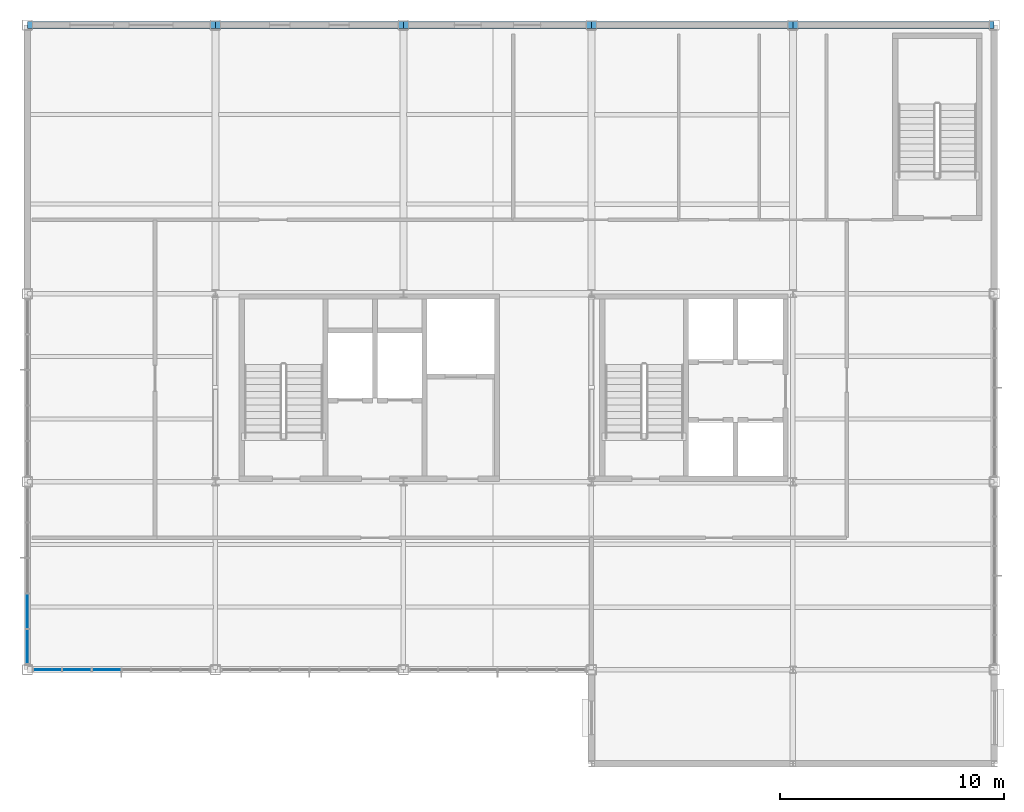
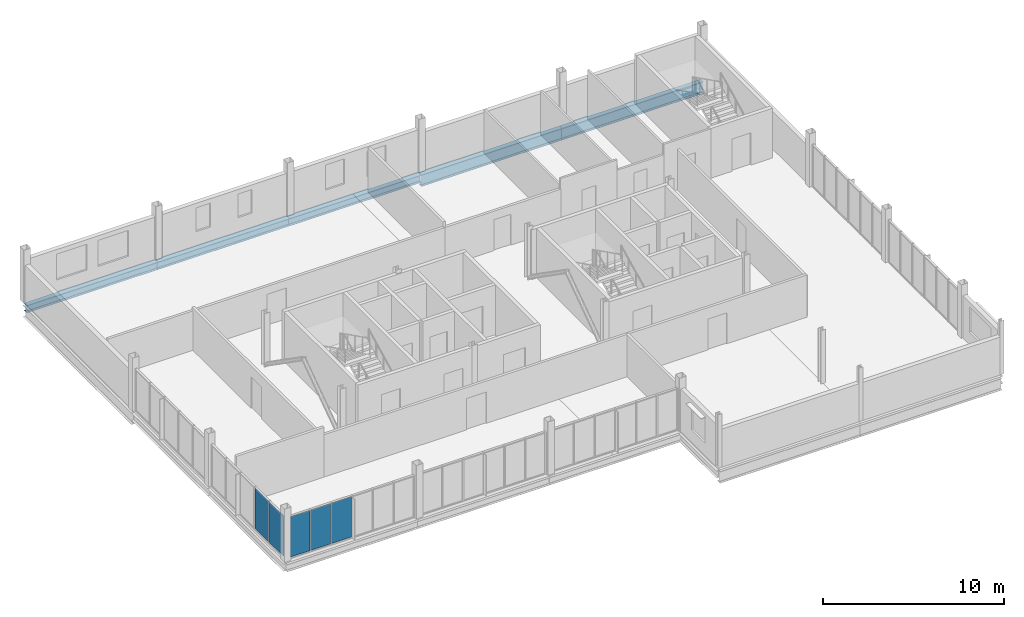
# One storey, part 9 of 16: 5 beams, 5 plates, 2 elements without a shape of their own.
"""IFC4 building model written with IfcOpenShell, lengths in metres."""

from ifc_helpers import new_model, si_unit, direction, frame, origin, origin_2d, place, context, subcontext, project, spatial, rectangle, i_section, extrude, material, layer, layer_set, material_profile, profile_set, type_object, element, aggregate, save


model = new_model("IFC4")

# Units and contexts
model_context = context("Model", 3, precision=1e-05, world=origin(), true_north=direction((0.0, 1.0)))
body_context = subcontext(model_context, "Body", "Model", "MODEL_VIEW")
ifc_project = project(units=[si_unit("LENGTHUNIT", "METRE"), si_unit("AREAUNIT", "SQUARE_METRE"), si_unit("VOLUMEUNIT", "CUBIC_METRE"), si_unit("PLANEANGLEUNIT", "RADIAN"), si_unit("MASSUNIT", "GRAM", prefix="KILO")], contexts=[model_context])

# Site, building, storey
site_placement = place(None, origin())
site = spatial("IfcSite", under=ifc_project, at=site_placement, CompositionType="ELEMENT")
building_placement = place(site_placement, origin())
building = spatial("IfcBuilding", under=site, at=building_placement, Name="Yukiwa Park Conservatory and Herbarium", CompositionType="ELEMENT")
storey_placement = place(building_placement, frame((0.0, 0.0, 43.199951171875)))
storey = spatial("IfcBuildingStorey", under=building, at=storey_placement, Name="L11", CompositionType="ELEMENT", Elevation=43.199951171875)

# Beams
ifc_material_1 = material(Name="Steel Q355D", Category="steel")
ifc_material_profile_1 = material_profile(ifc_material_1, i_section(OverallWidth=0.300048828125, OverallDepth=0.5, WebThickness=0.010986328125, FlangeThickness=0.01806640625, FilletRadius=0.02392578125, at=origin_2d()), Name="HM 500x300x11x18")
ifc_profile_set_1 = profile_set([ifc_material_profile_1], Name="Steel Q355D")
beam_type_1 = type_object("IfcBeamType", Name="BM-SPN-HN500", PredefinedType="SPANDREL", material=ifc_profile_set_1)
beam_placement = place(storey_placement, frame((124.805908203125, 115.199951171875, -0.508056640625), z_axis=(1.0, 0.0, 0.0), x_axis=(0.0, 1.0, 0.0)))
element("IfcBeam", 1, at=beam_placement, inside=storey, type_object=beam_type_1, Name="L11 spandrel beam X-18", PredefinedType="SPANDREL", context=body_context, shape_type="SweptSolid", body=[
    extrude(i_section(OverallWidth=0.300048828125, OverallDepth=0.5, WebThickness=0.010986328125, FlangeThickness=0.01806640625, FilletRadius=0.02392578125, at=origin_2d()), origin(), (0.0, 0.0, 1.0), 8.38818359375),
])
for number, where, z_axis, x_axis, name in (
    (2, (133.2060546875, 115.199951171875, -0.508056640625), (1.0, 0.0, 0.0), (0.0, 1.0, 0.0), "L11 spandrel beam X-19"),
    (3, (141.60595703125, 115.199951171875, -0.508056640625), (1.0, 0.0, 0.0), (0.0, 1.0, 0.0), "L11 spandrel beam X-20"),
):
    element("IfcBeam", number, at=place(storey_placement, frame(where, z_axis=z_axis, x_axis=x_axis)), inside=storey, type_object=beam_type_1, Name=name, PredefinedType="SPANDREL", context=body_context, shape_type="SweptSolid", body=[
        extrude(i_section(OverallWidth=0.300048828125, OverallDepth=0.5, WebThickness=0.010986328125, FlangeThickness=0.01806640625, FilletRadius=0.02392578125, at=origin_2d()), origin(), (0.0, 0.0, 1.0), 8.387939453125),
    ])
ifc_material_2 = material(Name="Steel Q355D", Category="steel")
ifc_material_profile_2 = material_profile(ifc_material_2, i_section(OverallWidth=0.300048828125, OverallDepth=0.7919921875, WebThickness=0.013916015625, FlangeThickness=0.02197265625, FilletRadius=0.028076171875, at=origin_2d()), Name="HN 792x300x14x22")
ifc_profile_set_2 = profile_set([ifc_material_profile_2], Name="Steel Q355D")
beam_type_2 = type_object("IfcBeamType", Name="BM-SPN-HN600", PredefinedType="SPANDREL", material=ifc_profile_set_2)
for number, where, z_axis, x_axis, name in (
    (4, (150.006103515625, 115.199951171875, -0.654052734375), (1.0, 0.0, 0.0), (0.0, 1.0, 0.0), "L11 spandrel beam X-21"),
    (5, (159.006103515625, 115.199951171875, -0.654052734375), (1.0, 0.0, 0.0), (0.0, 1.0, 0.0), "L11 spandrel beam X-22"),
):
    element("IfcBeam", number, at=place(storey_placement, frame(where, z_axis=z_axis, x_axis=x_axis)), inside=storey, type_object=beam_type_2, Name=name, PredefinedType="SPANDREL", context=body_context, shape_type="SweptSolid", body=[
        extrude(i_section(OverallWidth=0.300048828125, OverallDepth=0.7919921875, WebThickness=0.013916015625, FlangeThickness=0.02197265625, FilletRadius=0.028076171875, at=origin_2d()), origin(), (0.0, 0.0, 1.0), 8.98779296875),
    ])

# Curtain wall, plates
ifc_material_3 = material(Name="Triple Low-E Insulated Glass", Category="glass")
ifc_layer_1 = layer(ifc_material_3, 0.260009765625)
ifc_layer_set_1 = layer_set([ifc_layer_1], Name="Triple Low-E Insulated Glass")
curtain_wall_type_1 = type_object("IfcCurtainWallType", Name="CW-TOWER-LAB-W-1500", PredefinedType="NOTDEFINED", material=ifc_layer_set_1)
curtain_wall_1_placement = place(storey_placement, origin())
curtain_wall_1 = element("IfcCurtainWall", 6, at=curtain_wall_1_placement, inside=storey, type_object=curtain_wall_type_1, Name="L11 unitised curtain wall CW-L11-115", PredefinedType="NOTDEFINED")
ifc_material_4 = material(Name="Triple Low-E Insulated Glass", Category="glass")
ifc_layer_2 = layer(ifc_material_4, 0.035888671875)
ifc_layer_set_2 = layer_set([ifc_layer_2], Name="Triple Low-E Insulated Glass")
plate_type = type_object("IfcPlateType", Name="PL-CW-GLZ-36", PredefinedType="CURTAIN_PANEL", material=ifc_layer_set_2)
plate_1_placement = place(storey_placement, frame((124.800048828125, 89.010009765625, 0.06982421875), z_axis=(0.0, 0.0, 1.0), x_axis=(0.0, -1.0, 0.0)))
plate_1 = element("IfcPlate", 7, at=plate_1_placement, type_object=plate_type, Name="CW-L11-115 vision panel 4.1", PredefinedType="CURTAIN_PANEL", context=body_context, shape_type="SweptSolid", body=[
    extrude(rectangle(XDim=1.52001953125, YDim=0.035888671875, at=origin_2d()), origin(), (0.0, 0.0, 1.0), 2.714111328125),
])
plate_2_placement = place(storey_placement, frame((124.800048828125, 87.419921875, 0.06982421875), z_axis=(0.0, 0.0, 1.0), x_axis=(0.0, -1.0, 0.0)))
plate_2 = element("IfcPlate", 8, at=plate_2_placement, type_object=plate_type, Name="CW-L11-115 vision panel 5.1", PredefinedType="CURTAIN_PANEL", context=body_context, shape_type="SweptSolid", body=[
    extrude(rectangle(XDim=1.52001953125, YDim=0.035888671875, at=origin_2d()), origin(), (0.0, 0.0, 1.0), 2.714111328125),
])
aggregate(curtain_wall_1, [plate_1, plate_2])

ifc_material_5 = material(Name="Triple Low-E Insulated Glass", Category="glass")
ifc_layer_3 = layer(ifc_material_5, 0.248046875)
ifc_layer_set_3 = layer_set([ifc_layer_3], Name="Triple Low-E Insulated Glass")
curtain_wall_type_2 = type_object("IfcCurtainWallType", Name="CW-TOWER-LAB-S-1400", PredefinedType="NOTDEFINED", material=ifc_layer_set_3)
curtain_wall_2_placement = place(storey_placement, origin())
curtain_wall_2 = element("IfcCurtainWall", 9, at=curtain_wall_2_placement, inside=storey, type_object=curtain_wall_type_2, Name="L11 unitised curtain wall CW-L11-116", PredefinedType="NOTDEFINED")
plate_3_placement = place(storey_placement, frame((125.6875, 86.39990234375, 0.06982421875), z_axis=(0.0, 0.0, 1.0), x_axis=(1.0, 0.0, 0.0)))
plate_3 = element("IfcPlate", 10, at=plate_3_placement, type_object=plate_type, Name="CW-L11-116 vision panel 1.1", PredefinedType="CURTAIN_PANEL", context=body_context, shape_type="SweptSolid", body=[
    extrude(rectangle(XDim=1.2548828125, YDim=0.035888671875, at=origin_2d()), origin(), (0.0, 0.0, 1.0), 2.714111328125),
])
plate_4_placement = place(storey_placement, frame((127.012451171875, 86.39990234375, 0.06982421875), z_axis=(0.0, 0.0, 1.0), x_axis=(1.0, 0.0, 0.0)))
plate_4 = element("IfcPlate", 11, at=plate_4_placement, type_object=plate_type, Name="CW-L11-116 vision panel 2.1", PredefinedType="CURTAIN_PANEL", context=body_context, shape_type="SweptSolid", body=[
    extrude(rectangle(XDim=1.2548828125, YDim=0.035888671875, at=origin_2d()), origin(), (0.0, 0.0, 1.0), 2.714111328125),
])
plate_5_placement = place(storey_placement, frame((128.33740234375, 86.39990234375, 0.06982421875), z_axis=(0.0, 0.0, 1.0), x_axis=(1.0, 0.0, 0.0)))
plate_5 = element("IfcPlate", 12, at=plate_5_placement, type_object=plate_type, Name="CW-L11-116 vision panel 3.1", PredefinedType="CURTAIN_PANEL", context=body_context, shape_type="SweptSolid", body=[
    extrude(rectangle(XDim=1.2548828125, YDim=0.035888671875, at=origin_2d()), origin(), (0.0, 0.0, 1.0), 2.714111328125),
])
aggregate(curtain_wall_2, [plate_3, plate_4, plate_5])

save(model, "model.ifc")
